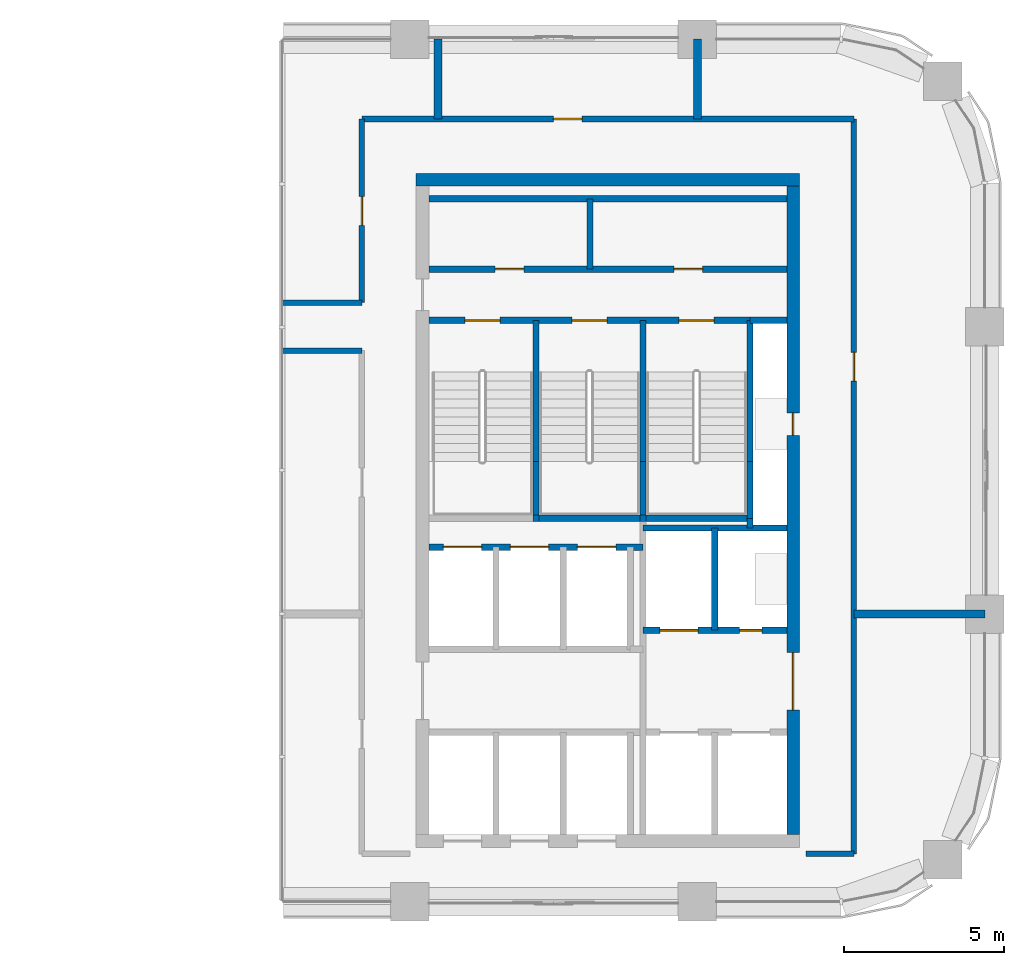
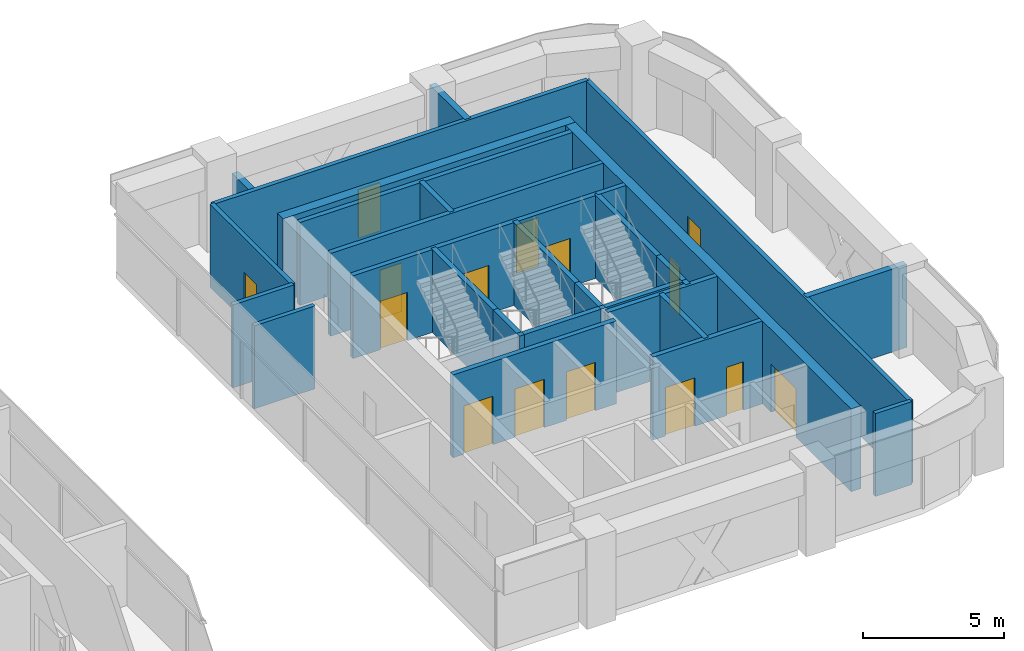
# One storey, part 8 of 16: 31 walls, 15 doors, 15 openings.
"""IFC4 building model written with IfcOpenShell, lengths in metres."""

import ifcopenshell
import ifcopenshell.guid

model = None  # the IFC model being written
_history = None  # IfcOwnerHistory: only IFC2X3 demands one
_inside = {}  # id of a spatial element -> (the spatial element, [elements in it])
_under = {}  # id of a project, library or spatial element -> (it, [spatial elements below it])
_declared = {}  # id of a project -> (the project, [libraries it declares])
_typed = {}  # id of a type object -> (the type object, [elements of that type])
_made_of = {}  # id of a material, layer set ... -> (it, [elements and type objects made of it])


def new_model(schema):
    """Start an empty IFC model of exactly this schema.

    Asked for "IFC4X3", IfcOpenShell would pick the latest addendum, in which some entities
    have other attributes; the version numbers below select the first issue.
    IFC2X3 requires an IfcOwnerHistory on every rooted entity: one is made here for all.
    """
    global model, _history
    if schema == "IFC4X3":
        model = ifcopenshell.file(schema_version=(4, 3, 0, 0))
    else:
        model = ifcopenshell.file(schema=schema)
    _inside.clear()
    _under.clear()
    _declared.clear()
    _typed.clear()
    _made_of.clear()
    _history = None
    if model.schema == "IFC2X3":
        org = make("IfcOrganization", Name="unknown")
        user = make(
            "IfcPersonAndOrganization",
            ThePerson=make("IfcPerson", FamilyName="unknown"),
            TheOrganization=org,
        )
        app = make(
            "IfcApplication",
            ApplicationDeveloper=org,
            Version="unknown",
            ApplicationFullName="unknown",
            ApplicationIdentifier="unknown",
        )
        _history = make(
            "IfcOwnerHistory",
            OwningUser=user,
            OwningApplication=app,
            ChangeAction="ADDED",
            CreationDate=0,
        )
    return model


def make(cls, **values):
    """One entity of the class cls with the attributes given. An attribute that is None is left unset."""
    return model.create_entity(
        cls, **{name: value for name, value in values.items() if value is not None}
    )


def rooted(cls, **values):
    """An entity with a GlobalId (a new one), such as an element, a storey or a relation."""
    return make(cls, GlobalId=ifcopenshell.guid.new(), OwnerHistory=_history, **values)


def si_unit(unit_type, name, prefix=None):
    """IfcSIUnit, for example si_unit("LENGTHUNIT", "METRE", prefix="MILLI")."""
    return make("IfcSIUnit", UnitType=unit_type, Prefix=prefix, Name=name)


def assignment(units):
    """IfcUnitAssignment: the units of a project."""
    return None if units is None else make("IfcUnitAssignment", Units=units)


def point(xyz):
    """IfcCartesianPoint."""
    return None if xyz is None else make("IfcCartesianPoint", Coordinates=xyz)


def direction(xyz):
    """IfcDirection."""
    return None if xyz is None else make("IfcDirection", DirectionRatios=xyz)


def frame(location, z_axis=None, x_axis=None):
    """IfcAxis2Placement3D, a coordinate frame: its origin and axes. An axis left out is left unset."""
    return make(
        "IfcAxis2Placement3D",
        Location=point(location),
        Axis=direction(z_axis),
        RefDirection=direction(x_axis),
    )


def frame_2d(location, x_axis=None):
    """IfcAxis2Placement2D, a coordinate frame in the plane: its origin and x axis."""
    return make(
        "IfcAxis2Placement2D", Location=point(location), RefDirection=direction(x_axis)
    )


def origin():
    """The frame at (0, 0, 0) with its axes left unset."""
    return frame((0.0, 0.0, 0.0))


def place(relative_to, where):
    """IfcLocalPlacement: puts the frame where relative to a parent placement (None: the world)."""
    return make(
        "IfcLocalPlacement", PlacementRelTo=relative_to, RelativePlacement=where
    )


def context(
    kind, dimensions, precision=None, world=None, true_north=None, identifier=None
):
    """IfcGeometricRepresentationContext, for example the 3D "Model" context."""
    return make(
        "IfcGeometricRepresentationContext",
        ContextIdentifier=identifier,
        ContextType=kind,
        CoordinateSpaceDimension=dimensions,
        Precision=precision,
        WorldCoordinateSystem=world,
        TrueNorth=true_north,
    )


def subcontext(parent, identifier, kind, view, scale=None):
    """IfcGeometricRepresentationSubContext, for example "Body" below "Model"."""
    return make(
        "IfcGeometricRepresentationSubContext",
        ContextIdentifier=identifier,
        ContextType=kind,
        ParentContext=parent,
        TargetScale=scale,
        TargetView=view,
    )


def project(units=None, contexts=None):
    """IfcProject with its units and contexts."""
    return rooted(
        "IfcProject",
        Name="project",
        RepresentationContexts=contexts,
        UnitsInContext=assignment(units),
    )


def spatial(cls, under=None, at=None, **own):
    """A site, building, storey or space (cls), placed at a placement, below another one or the project."""
    s = rooted(cls, ObjectPlacement=at, **own)
    if under is not None:
        _under.setdefault(under.id(), (under, []))[1].append(s)
    return s


def profile(cls, at=None, kind="AREA", **sizes):
    """A parametric profile (cls). Its sizes go by their IFC names, for example OverallWidth=200.0."""
    return make(cls, ProfileType=kind, Position=at, **sizes)


def rectangle(**sizes):
    """IfcRectangleProfileDef."""
    return profile("IfcRectangleProfileDef", **sizes)


def extrude(swept, where, along, depth):
    """IfcExtrudedAreaSolid: the profile swept, set in the frame where, extruded along a direction by depth."""
    return make(
        "IfcExtrudedAreaSolid",
        SweptArea=swept,
        Position=where,
        ExtrudedDirection=direction(along),
        Depth=depth,
    )


def shape(context_of_items, identifier, shape_type, items):
    """IfcShapeRepresentation: the items that make up one representation, for example the "Body"."""
    return make(
        "IfcShapeRepresentation",
        ContextOfItems=context_of_items,
        RepresentationIdentifier=identifier,
        RepresentationType=shape_type,
        Items=items,
    )


def material(Name=None, Category=None):
    """IfcMaterial."""
    return make("IfcMaterial", Name=Name, Category=Category)


def layer(
    of_material, thickness, ventilated=None, Name=None, Category=None, Priority=None
):
    """IfcMaterialLayer: one layer of a wall or slab, of a material (None: an air gap)."""
    return make(
        "IfcMaterialLayer",
        Material=of_material,
        LayerThickness=thickness,
        IsVentilated=ventilated,
        Name=Name,
        Category=Category,
        Priority=Priority,
    )


def layer_set(layers, Name=None):
    """IfcMaterialLayerSet."""
    return make("IfcMaterialLayerSet", MaterialLayers=layers, LayerSetName=Name)


def made_of(thing, what):
    """Note that an element or type object is made of a material, layer set ...; save() writes the relation."""
    if what is not None:
        _made_of.setdefault(what.id(), (what, []))[1].append(thing)
    return thing


def type_object(cls, material=None, **own):
    """A type object (cls), such as IfcWallType, which elements share."""
    return made_of(rooted(cls, **own), material)


def element(
    cls,
    number,
    at=None,
    inside=None,
    cuts=None,
    type_object=None,
    material=None,
    context=None,
    identifier="Body",
    shape_type=None,
    held_by="IfcProductDefinitionShape",
    body=None,
    shapes=None,
    **own,
):
    """One element of the class cls, such as IfcWall. Its Tag is "e" and its number.

    at: its placement. inside: the storey or other place that contains it. cuts: it is an
    opening in that element (IfcRelVoidsElement). A single representation is given by context,
    identifier, shape_type and body (its items); several are given by shapes. held_by: the class
    of the entity that holds the representations. save() writes the other relations.
    """
    e = rooted(cls, Tag="e%d" % number, ObjectPlacement=at, **own)
    if body is not None:
        shapes = [shape(context, identifier, shape_type, body)]
    if shapes is not None:
        e.Representation = make(held_by, Representations=shapes)
    if inside is not None:
        _inside.setdefault(inside.id(), (inside, []))[1].append(e)
    if cuts is not None:
        rooted(
            "IfcRelVoidsElement", RelatingBuildingElement=cuts, RelatedOpeningElement=e
        )
    if type_object is not None:
        _typed.setdefault(type_object.id(), (type_object, []))[1].append(e)
    return made_of(e, material)


def fill(opening, filler):
    """IfcRelFillsElement: the door or window that sits in an opening."""
    return rooted(
        "IfcRelFillsElement",
        RelatingOpeningElement=opening,
        RelatedBuildingElement=filler,
    )


def aggregate(whole, parts):
    """IfcRelAggregates: a whole, such as a stair, and the parts it consists of."""
    return rooted("IfcRelAggregates", RelatingObject=whole, RelatedObjects=parts)


def save(model, path):
    """Write the relations noted so far, then the file.

    IfcRelAggregates (storeys below a building ...), IfcRelContainedInSpatialStructure (elements
    in a storey), IfcRelDefinesByType, IfcRelAssociatesMaterial and IfcRelDeclares: one each for
    every whole, place, type object, material and project.
    """
    for whole, parts in _under.values():
        aggregate(whole, parts)
    for where, things in _inside.values():
        rooted(
            "IfcRelContainedInSpatialStructure",
            RelatedElements=things,
            RelatingStructure=where,
        )
    for kind, things in _typed.values():
        rooted("IfcRelDefinesByType", RelatedObjects=things, RelatingType=kind)
    for what, things in _made_of.values():
        rooted("IfcRelAssociatesMaterial", RelatedObjects=things, RelatingMaterial=what)
    for by, libraries in _declared.values():
        rooted("IfcRelDeclares", RelatingContext=by, RelatedDefinitions=libraries)
    model.write(path)


model = new_model("IFC4")

# Units and contexts
model_context = context("Model", 3, precision=1e-05, world=origin(), true_north=direction((0.0, 1.0)))
body_context = subcontext(model_context, "Body", "Model", "MODEL_VIEW")
ifc_project = project(units=[si_unit("LENGTHUNIT", "METRE"), si_unit("AREAUNIT", "SQUARE_METRE"), si_unit("VOLUMEUNIT", "CUBIC_METRE"), si_unit("PLANEANGLEUNIT", "RADIAN"), si_unit("MASSUNIT", "GRAM", prefix="KILO")], contexts=[model_context])

# Site, building, storey
site_placement = place(None, origin())
site = spatial("IfcSite", under=ifc_project, at=site_placement, CompositionType="ELEMENT")
building_placement = place(site_placement, origin())
building = spatial("IfcBuilding", under=site, at=building_placement, Name="Tessera Arch", CompositionType="ELEMENT")
storey_placement = place(building_placement, frame((0.0, 0.0, 218.89990234375)))
storey = spatial("IfcBuildingStorey", under=building, at=storey_placement, Name="L52", CompositionType="ELEMENT", Elevation=218.89990234375)

# Wall
ifc_material_1 = material(Name="Gypsum board on steel stud", Category="steel")
ifc_layer_1 = layer(ifc_material_1, 0.125)
ifc_layer_set_1 = layer_set([ifc_layer_1], Name="Core partition 125 EI 60")
wall_type_1 = type_object("IfcWallType", Name="Core partition 125 EI 60", PredefinedType="PARTITIONING", material=ifc_layer_set_1)
wall_1_placement = place(storey_placement, frame((41.639892578125, 46.800048828125, 0.0), z_axis=(0.0, 0.0, 1.0), x_axis=(0.0, 1.0, 0.0)))
element("IfcWall", 1, at=wall_1_placement, inside=storey, type_object=wall_type_1, Name="L52 C1 partition wall 7", PredefinedType="PARTITIONING", context=body_context, shape_type="SweptSolid", body=[
    extrude(rectangle(XDim=2.199951171875, YDim=0.199951171875, at=frame_2d((1.10009765625, 0.0))), origin(), (0.0, 0.0, 1.0), 3.60009765625),
])

# Wall, openings, doors
wall_2_placement = place(storey_placement, frame((36.60009765625, 46.800048828125, 0.0), z_axis=(0.0, 0.0, 1.0), x_axis=(1.0, 0.0, 0.0)))
wall_2 = element("IfcWall", 2, at=wall_2_placement, inside=storey, type_object=wall_type_1, Name="L52 C1 partition wall 31", PredefinedType="PARTITIONING", context=body_context, shape_type="SweptSolid", body=[
    extrude(rectangle(XDim=11.199951171875, YDim=0.199951171875, at=frame_2d((5.60009765625, 0.0))), origin(), (0.0, 0.0, 1.0), 3.60009765625),
])
opening_1_placement = place(wall_2_placement, frame((2.070068359375, 0.0, 0.0)))
opening_1 = element("IfcOpeningElement", 3, at=opening_1_placement, cuts=wall_2, Name="Opening L52-C18", PredefinedType="OPENING", context=body_context, shape_type="SweptSolid", body=[
    extrude(rectangle(XDim=0.89990234375, YDim=2.10009765625, at=frame_2d((0.449951171875, 1.050048828125))), frame((0.0, 0.10986328125, 0.0), z_axis=(0.0, -1.0, 0.0), x_axis=(1.0, 0.0, 0.0)), (0.0, 0.0, 1.0), 0.219970703125),
])
opening_2_placement = place(wall_2_placement, frame((7.669921875, 0.0, 0.0)))
opening_2 = element("IfcOpeningElement", 4, at=opening_2_placement, cuts=wall_2, Name="Opening L52-C19", PredefinedType="OPENING", context=body_context, shape_type="SweptSolid", body=[
    extrude(rectangle(XDim=0.89990234375, YDim=2.10009765625, at=frame_2d((0.449951171875, 1.050048828125))), frame((0.0, 0.10986328125, 0.0), z_axis=(0.0, -1.0, 0.0), x_axis=(1.0, 0.0, 0.0)), (0.0, 0.0, 1.0), 0.219970703125),
])
ifc_material_2 = material(Name="Steel door leaf", Category="steel")
door_type_1 = type_object("IfcDoorType", Name="Store door FD30S 900 x 2100", OperationType="SINGLE_SWING_LEFT", PredefinedType="DOOR", material=ifc_material_2)
door_1_placement = place(opening_1_placement, origin())
door_1 = element("IfcDoor", 5, at=door_1_placement, inside=storey, type_object=door_type_1, Name="L52 C1 door 18 C18 type D09", OperationType="SINGLE_SWING_LEFT", OverallHeight=2.10009765625, OverallWidth=0.89990234375, PredefinedType="DOOR", context=body_context, shape_type="SweptSolid", body=[
    extrude(rectangle(XDim=0.89990234375, YDim=2.10009765625, at=frame_2d((0.449951171875, 1.050048828125))), frame((0.0, 0.02490234375, 0.0), z_axis=(0.0, -1.0, 0.0), x_axis=(1.0, 0.0, 0.0)), (0.0, 0.0, 1.0), 0.050048828125),
])
fill(opening_1, door_1)
door_2_placement = place(opening_2_placement, origin())
door_2 = element("IfcDoor", 6, at=door_2_placement, inside=storey, type_object=door_type_1, Name="L52 C1 door 19 C19 type D09", OperationType="SINGLE_SWING_RIGHT", OverallHeight=2.10009765625, OverallWidth=0.89990234375, PredefinedType="DOOR", context=body_context, shape_type="SweptSolid", body=[
    extrude(rectangle(XDim=0.89990234375, YDim=2.10009765625, at=frame_2d((0.449951171875, 1.050048828125))), frame((0.0, 0.02490234375, 0.0), z_axis=(0.0, -1.0, 0.0), x_axis=(1.0, 0.0, 0.0)), (0.0, 0.0, 1.0), 0.050048828125),
])
fill(opening_2, door_2)

# Walls
wall_3_placement = place(storey_placement, frame((36.60009765625, 49.0, 0.0), z_axis=(0.0, 0.0, 1.0), x_axis=(1.0, 0.0, 0.0)))
element("IfcWall", 7, at=wall_3_placement, inside=storey, type_object=wall_type_1, Name="L52 C1 partition wall 32", PredefinedType="PARTITIONING", context=body_context, shape_type="SweptSolid", body=[
    extrude(rectangle(XDim=11.199951171875, YDim=0.199951171875, at=frame_2d((5.60009765625, 0.0))), origin(), (0.0, 0.0, 1.0), 3.60009765625),
])
ifc_material_3 = material(Name="Concrete C50/60", Category="concrete")
ifc_layer_2 = layer(ifc_material_3, 0.39990234375)
ifc_layer_set_2 = layer_set([ifc_layer_2], Name="Core shell wall 400 C50-60")
wall_type_2 = type_object("IfcWallType", Name="Core shell wall 400 C50-60", PredefinedType="SHEAR", material=ifc_layer_set_2)
wall_4_placement = place(storey_placement, frame((36.199951171875, 49.60009765625, 0.0), z_axis=(0.0, 0.0, 1.0), x_axis=(1.0, 0.0, 0.0)))
element("IfcWall", 8, at=wall_4_placement, inside=storey, type_object=wall_type_2, Name="L52 C1 core wall N", PredefinedType="SHEAR", context=body_context, shape_type="SweptSolid", body=[
    extrude(rectangle(XDim=12.0, YDim=0.39990234375, at=frame_2d((6.0, 0.0))), origin(), (0.0, 0.0, 1.0), 3.60009765625),
])

# Wall, openings, doors
wall_5_placement = place(storey_placement, frame((48.0, 29.10009765625, 0.0), z_axis=(0.0, 0.0, 1.0), x_axis=(0.0, 1.0, 0.0)))
wall_5 = element("IfcWall", 9, at=wall_5_placement, inside=storey, type_object=wall_type_2, Name="L52 C1 core wall E", PredefinedType="SHEAR", context=body_context, shape_type="SweptSolid", body=[
    extrude(rectangle(XDim=20.2998046875, YDim=0.39990234375, at=frame_2d((10.14990234375, 0.0))), origin(), (0.0, 0.0, 1.0), 3.60009765625),
])
opening_3_placement = place(wall_5_placement, frame((12.5, 0.0, 0.0)))
opening_3 = element("IfcOpeningElement", 10, at=opening_3_placement, cuts=wall_5, Name="Opening L52-C14", PredefinedType="OPENING", context=body_context, shape_type="SweptSolid", body=[
    extrude(rectangle(XDim=0.699951171875, YDim=2.10009765625, at=frame_2d((0.35009765625, 1.050048828125))), frame((0.0, 0.2099609375, 0.0), z_axis=(0.0, -1.0, 0.0), x_axis=(1.0, 0.0, 0.0)), (0.0, 0.0, 1.0), 0.419921875),
])
opening_4_placement = place(wall_5_placement, frame((3.89990234375, 0.0, 0.0)))
opening_4 = element("IfcOpeningElement", 11, at=opening_4_placement, cuts=wall_5, Name="Opening L52-C15", PredefinedType="OPENING", context=body_context, shape_type="SweptSolid", body=[
    extrude(rectangle(XDim=1.800048828125, YDim=2.10009765625, at=frame_2d((0.89990234375, 1.050048828125))), frame((0.0, 0.2099609375, 0.0), z_axis=(0.0, -1.0, 0.0), x_axis=(1.0, 0.0, 0.0)), (0.0, 0.0, 1.0), 0.419921875),
])
ifc_material_4 = material(Name="Glazed steel door leaf", Category="steel")
door_type_2 = type_object("IfcDoorType", Name="Lobby double door FD60 1800 x 2100", OperationType="DOUBLE_DOOR_SINGLE_SWING", PredefinedType="DOOR", material=ifc_material_4)
door_3_placement = place(opening_4_placement, origin())
door_3 = element("IfcDoor", 12, at=door_3_placement, inside=storey, type_object=door_type_2, Name="L52 C1 door 15 C15 type D19", OperationType="DOUBLE_DOOR_SINGLE_SWING", OverallHeight=2.10009765625, OverallWidth=1.800048828125, PredefinedType="DOOR", context=body_context, shape_type="SweptSolid", body=[
    extrude(rectangle(XDim=1.800048828125, YDim=2.10009765625, at=frame_2d((0.89990234375, 1.050048828125))), frame((0.0, 0.02490234375, 0.0), z_axis=(0.0, -1.0, 0.0), x_axis=(1.0, 0.0, 0.0)), (0.0, 0.0, 1.0), 0.050048828125),
])
fill(opening_4, door_3)
ifc_material_5 = material(Name="Steel door leaf", Category="steel")
door_type_3 = type_object("IfcDoorType", Name="Service shaft door FD60 700 x 2100", OperationType="SINGLE_SWING_LEFT", PredefinedType="DOOR", material=ifc_material_5)
door_4_placement = place(opening_3_placement, origin())
door_4 = element("IfcDoor", 13, at=door_4_placement, inside=storey, type_object=door_type_3, Name="L52 C1 door 14 C14 type D07", OperationType="SINGLE_SWING_RIGHT", OverallHeight=2.10009765625, OverallWidth=0.699951171875, PredefinedType="DOOR", context=body_context, shape_type="SweptSolid", body=[
    extrude(rectangle(XDim=0.699951171875, YDim=2.10009765625, at=frame_2d((0.35009765625, 1.050048828125))), frame((0.0, 0.02490234375, 0.0), z_axis=(0.0, -1.0, 0.0), x_axis=(1.0, 0.0, 0.0)), (0.0, 0.0, 1.0), 0.050048828125),
])
fill(opening_3, door_4)

# Walls
ifc_material_6 = material(Name="Gypsum board on deep steel stud with mineral wool", Category="steel")
ifc_layer_3 = layer(ifc_material_6, 0.175048828125)
ifc_layer_set_3 = layer_set([ifc_layer_3], Name="Corridor wall 175 EI 60")
wall_type_3 = type_object("IfcWallType", Name="Corridor wall 175 EI 60", PredefinedType="PARTITIONING", material=ifc_layer_set_3)
wall_6_placement = place(storey_placement, frame((48.39990234375, 28.5, 0.0), z_axis=(0.0, 0.0, 1.0), x_axis=(1.0, 0.0, 0.0)))
element("IfcWall", 14, at=wall_6_placement, inside=storey, type_object=wall_type_3, Name="L52 partition 4", PredefinedType="PARTITIONING", context=body_context, shape_type="SweptSolid", body=[
    extrude(rectangle(XDim=1.5, YDim=0.175048828125, at=frame_2d((0.75, 0.0))), origin(), (0.0, 0.0, 1.0), 3.60009765625),
])
for number, where, z_axis, x_axis, name in (
    (15, (32.0, 44.25, 0.0), (0.0, 0.0, 1.0), (1.0, 0.0, 0.0), "L52 partition 6"),
    (16, (32.0, 45.75, 0.0), (0.0, 0.0, 1.0), (1.0, 0.0, 0.0), "L52 partition 8"),
):
    element("IfcWall", number, at=place(storey_placement, frame(where, z_axis=z_axis, x_axis=x_axis)), inside=storey, type_object=wall_type_3, Name=name, PredefinedType="PARTITIONING", context=body_context, shape_type="SweptSolid", body=[
        extrude(rectangle(XDim=2.5, YDim=0.175048828125, at=frame_2d((1.25, 0.0))), origin(), (0.0, 0.0, 1.0), 3.60009765625),
    ])

# Wall, opening, door
wall_7_placement = place(storey_placement, frame((34.5, 51.5, 0.0), z_axis=(0.0, 0.0, 1.0), x_axis=(1.0, 0.0, 0.0)))
wall_7 = element("IfcWall", 17, at=wall_7_placement, inside=storey, type_object=wall_type_3, Name="L52 partition 10", PredefinedType="PARTITIONING", context=body_context, shape_type="SweptSolid", body=[
    extrude(rectangle(XDim=15.39990234375, YDim=0.175048828125, at=frame_2d((7.699951171875, 0.0))), origin(), (0.0, 0.0, 1.0), 3.60009765625),
])
opening_5_placement = place(wall_7_placement, frame((5.9951171875, 0.0, 0.0)))
opening_5 = element("IfcOpeningElement", 18, at=opening_5_placement, cuts=wall_7, Name="Opening L52-D010", PredefinedType="OPENING", context=body_context, shape_type="SweptSolid", body=[
    extrude(rectangle(XDim=0.89990234375, YDim=2.10009765625, at=frame_2d((0.449951171875, 1.050048828125))), frame((0.0, 0.097412109375, 0.0), z_axis=(0.0, -1.0, 0.0), x_axis=(1.0, 0.0, 0.0)), (0.0, 0.0, 1.0), 0.195068359375),
])
ifc_material_7 = material(Name="Timber door leaf", Category="wood")
door_type_4 = type_object("IfcDoorType", Name="Room door 900 x 2100", OperationType="SINGLE_SWING_LEFT", PredefinedType="DOOR", material=ifc_material_7)
door_5_placement = place(opening_5_placement, origin())
door_5 = element("IfcDoor", 19, at=door_5_placement, inside=storey, type_object=door_type_4, Name="L52 door D010 type D01", OperationType="SINGLE_SWING_RIGHT", OverallHeight=2.10009765625, OverallWidth=0.89990234375, PredefinedType="DOOR", context=body_context, shape_type="SweptSolid", body=[
    extrude(rectangle(XDim=0.89990234375, YDim=2.10009765625, at=frame_2d((0.449951171875, 1.050048828125))), frame((0.0, 0.02490234375, 0.0), z_axis=(0.0, -1.0, 0.0), x_axis=(1.0, 0.0, 0.0)), (0.0, 0.0, 1.0), 0.050048828125),
])
fill(opening_5, door_5)

wall_8_placement = place(storey_placement, frame((34.5, 45.75, 0.0), z_axis=(0.0, 0.0, 1.0), x_axis=(0.0, 1.0, 0.0)))
wall_8 = element("IfcWall", 20, at=wall_8_placement, inside=storey, type_object=wall_type_3, Name="L52 partition 15", PredefinedType="PARTITIONING", context=body_context, shape_type="SweptSolid", body=[
    extrude(rectangle(XDim=5.75, YDim=0.175048828125, at=frame_2d((2.875, 0.0))), origin(), (0.0, 0.0, 1.0), 3.60009765625),
])
opening_6_placement = place(wall_8_placement, frame((2.425048828125, 0.0, 0.0)))
opening_6 = element("IfcOpeningElement", 21, at=opening_6_placement, cuts=wall_8, Name="Opening L52-D008", PredefinedType="OPENING", context=body_context, shape_type="SweptSolid", body=[
    extrude(rectangle(XDim=0.89990234375, YDim=2.10009765625, at=frame_2d((0.449951171875, 1.050048828125))), frame((0.0, 0.097412109375, 0.0), z_axis=(0.0, -1.0, 0.0), x_axis=(1.0, 0.0, 0.0)), (0.0, 0.0, 1.0), 0.195068359375),
])
door_6_placement = place(opening_6_placement, origin())
door_6 = element("IfcDoor", 22, at=door_6_placement, inside=storey, type_object=door_type_4, Name="L52 door D008 type D01", OperationType="SINGLE_SWING_RIGHT", OverallHeight=2.10009765625, OverallWidth=0.89990234375, PredefinedType="DOOR", context=body_context, shape_type="SweptSolid", body=[
    extrude(rectangle(XDim=0.89990234375, YDim=2.10009765625, at=frame_2d((0.449951171875, 1.050048828125))), frame((0.0, 0.02490234375, 0.0), z_axis=(0.0, -1.0, 0.0), x_axis=(1.0, 0.0, 0.0)), (0.0, 0.0, 1.0), 0.050048828125),
])
fill(opening_6, door_6)

wall_9_placement = place(storey_placement, frame((49.89990234375, 28.5, 0.0), z_axis=(0.0, 0.0, 1.0), x_axis=(0.0, 1.0, 0.0)))
wall_9 = element("IfcWall", 23, at=wall_9_placement, inside=storey, type_object=wall_type_3, Name="L52 partition 16", PredefinedType="PARTITIONING", context=body_context, shape_type="SweptSolid", body=[
    extrude(rectangle(XDim=23.0, YDim=0.175048828125, at=frame_2d((11.5, 0.0))), origin(), (0.0, 0.0, 1.0), 3.60009765625),
])
opening_7_placement = place(wall_9_placement, frame((14.800048828125, 0.0, 0.0)))
opening_7 = element("IfcOpeningElement", 24, at=opening_7_placement, cuts=wall_9, Name="Opening L52-D006", PredefinedType="OPENING", context=body_context, shape_type="SweptSolid", body=[
    extrude(rectangle(XDim=0.89990234375, YDim=2.10009765625, at=frame_2d((0.449951171875, 1.050048828125))), frame((0.0, 0.097412109375, 0.0), z_axis=(0.0, -1.0, 0.0), x_axis=(1.0, 0.0, 0.0)), (0.0, 0.0, 1.0), 0.195068359375),
])
door_7_placement = place(opening_7_placement, origin())
door_7 = element("IfcDoor", 25, at=door_7_placement, inside=storey, type_object=door_type_4, Name="L52 door D006 type D01", OperationType="SINGLE_SWING_LEFT", OverallHeight=2.10009765625, OverallWidth=0.89990234375, PredefinedType="DOOR", context=body_context, shape_type="SweptSolid", body=[
    extrude(rectangle(XDim=0.89990234375, YDim=2.10009765625, at=frame_2d((0.449951171875, 1.050048828125))), frame((0.0, 0.02490234375, 0.0), z_axis=(0.0, -1.0, 0.0), x_axis=(1.0, 0.0, 0.0)), (0.0, 0.0, 1.0), 0.050048828125),
])
fill(opening_7, door_7)

# Walls
ifc_material_8 = material(Name="Double gypsum board on twin steel stud with acoustic mineral wool", Category="steel")
ifc_layer_4 = layer(ifc_material_8, 0.25)
ifc_layer_set_4 = layer_set([ifc_layer_4], Name="Party wall 250 EI 60")
wall_type_4 = type_object("IfcWallType", Name="Party wall 250 EI 60", PredefinedType="PARTITIONING", material=ifc_layer_set_4)
wall_10_placement = place(storey_placement, frame((49.89990234375, 36.0, 0.0), z_axis=(0.0, 0.0, 1.0), x_axis=(1.0, 0.0, 0.0)))
element("IfcWall", 26, at=wall_10_placement, inside=storey, type_object=wall_type_4, Name="L52 partition 20", PredefinedType="PARTITIONING", context=body_context, shape_type="SweptSolid", body=[
    extrude(rectangle(XDim=4.10009765625, YDim=0.25, at=frame_2d((2.050048828125, 0.0))), origin(), (0.0, 0.0, 1.0), 3.60009765625),
])
wall_11_placement = place(storey_placement, frame((36.889892578125, 51.5, 0.0), z_axis=(0.0, 0.0, 1.0), x_axis=(0.0, 1.0, 0.0)))
element("IfcWall", 27, at=wall_11_placement, inside=storey, type_object=wall_type_4, Name="L52 partition 23", PredefinedType="PARTITIONING", context=body_context, shape_type="SweptSolid", body=[
    extrude(rectangle(XDim=2.5, YDim=0.25, at=frame_2d((1.25, 0.0))), origin(), (0.0, 0.0, 1.0), 2.60009765625),
])
wall_12_placement = place(storey_placement, frame((45.0, 51.5, 0.0), z_axis=(0.0, 0.0, 1.0), x_axis=(0.0, 1.0, 0.0)))
element("IfcWall", 28, at=wall_12_placement, inside=storey, type_object=wall_type_4, Name="L52 partition 24", PredefinedType="PARTITIONING", context=body_context, shape_type="SweptSolid", body=[
    extrude(rectangle(XDim=2.5, YDim=0.25, at=frame_2d((1.25, 0.0))), origin(), (0.0, 0.0, 1.0), 3.60009765625),
])
ifc_material_9 = material(Name="Concrete C40/50", Category="concrete")
ifc_layer_5 = layer(ifc_material_9, 0.199951171875)
ifc_layer_set_5 = layer_set([ifc_layer_5], Name="Shaft wall 200 EI 120")
wall_type_5 = type_object("IfcWallType", Name="Shaft wall 200 EI 120", PredefinedType="SOLIDWALL", material=ifc_layer_set_5)
wall_13_placement = place(storey_placement, frame((45.550048828125, 35.5, 0.0), z_axis=(0.0, 0.0, 1.0), x_axis=(0.0, 1.0, 0.0)))
element("IfcWall", 29, at=wall_13_placement, inside=storey, type_object=wall_type_5, Name="L52 C1 shaft wall 14", PredefinedType="SOLIDWALL", context=body_context, shape_type="SweptSolid", body=[
    extrude(rectangle(XDim=3.199951171875, YDim=0.199951171875, at=frame_2d((1.60009765625, 0.0))), origin(), (0.0, 0.0, 1.0), 3.60009765625),
])
wall_14_placement = place(storey_placement, frame((46.64990234375, 38.699951171875, 0.0), z_axis=(0.0, 0.0, 1.0), x_axis=(0.0, 1.0, 0.0)))
element("IfcWall", 30, at=wall_14_placement, inside=storey, type_object=wall_type_5, Name="L52 C1 shaft wall 15", PredefinedType="SOLIDWALL", context=body_context, shape_type="SweptSolid", body=[
    extrude(rectangle(XDim=0.300048828125, YDim=0.199951171875, at=frame_2d((0.14990234375, 0.0))), origin(), (0.0, 0.0, 1.0), 3.60009765625),
])

# Wall, openings, doors
wall_15_placement = place(storey_placement, frame((43.300048828125, 35.5, 0.0), z_axis=(0.0, 0.0, 1.0), x_axis=(1.0, 0.0, 0.0)))
wall_15 = element("IfcWall", 31, at=wall_15_placement, inside=storey, type_object=wall_type_5, Name="L52 C1 shaft wall 21", PredefinedType="SOLIDWALL", context=body_context, shape_type="SweptSolid", body=[
    extrude(rectangle(XDim=4.5, YDim=0.199951171875, at=frame_2d((2.25, 0.0))), origin(), (0.0, 0.0, 1.0), 3.60009765625),
])
opening_8_placement = place(wall_15_placement, frame((0.52490234375, 0.0, 0.0)))
opening_8 = element("IfcOpeningElement", 32, at=opening_8_placement, cuts=wall_15, Name="Opening L52-C09", PredefinedType="OPENING", context=body_context, shape_type="SweptSolid", body=[
    extrude(rectangle(XDim=1.199951171875, YDim=2.10009765625, at=frame_2d((0.60009765625, 1.050048828125))), frame((0.0, 0.10986328125, 0.0), z_axis=(0.0, -1.0, 0.0), x_axis=(1.0, 0.0, 0.0)), (0.0, 0.0, 1.0), 0.219970703125),
])
opening_9_placement = place(wall_15_placement, frame((3.02490234375, 0.0, 0.0)))
opening_9 = element("IfcOpeningElement", 33, at=opening_9_placement, cuts=wall_15, Name="Opening L52-C16", PredefinedType="OPENING", context=body_context, shape_type="SweptSolid", body=[
    extrude(rectangle(XDim=0.699951171875, YDim=2.10009765625, at=frame_2d((0.35009765625, 1.050048828125))), frame((0.0, 0.10986328125, 0.0), z_axis=(0.0, -1.0, 0.0), x_axis=(1.0, 0.0, 0.0)), (0.0, 0.0, 1.0), 0.219970703125),
])
door_8_placement = place(opening_9_placement, origin())
door_8 = element("IfcDoor", 34, at=door_8_placement, inside=storey, type_object=door_type_3, Name="L52 C1 door 16 C16 type D07", OperationType="SINGLE_SWING_RIGHT", OverallHeight=2.10009765625, OverallWidth=0.699951171875, PredefinedType="DOOR", context=body_context, shape_type="SweptSolid", body=[
    extrude(rectangle(XDim=0.699951171875, YDim=2.10009765625, at=frame_2d((0.35009765625, 1.050048828125))), frame((0.0, 0.02490234375, 0.0), z_axis=(0.0, -1.0, 0.0), x_axis=(1.0, 0.0, 0.0)), (0.0, 0.0, 1.0), 0.050048828125),
])
fill(opening_9, door_8)
ifc_material_10 = material(Name="Stainless steel AISI 304", Category="steel")
door_type_5 = type_object("IfcDoorType", Name="Sliding landing door 1200 x 2100", OperationType="SLIDING_TO_LEFT", PredefinedType="DOOR", material=ifc_material_10)
door_9_placement = place(opening_8_placement, origin())
door_9 = element("IfcDoor", 35, at=door_9_placement, inside=storey, type_object=door_type_5, Name="L52 SV2 lift landing door C09 type LD", OperationType="SLIDING_TO_LEFT", OverallHeight=2.10009765625, OverallWidth=1.199951171875, PredefinedType="DOOR", context=body_context, shape_type="SweptSolid", body=[
    extrude(rectangle(XDim=1.199951171875, YDim=2.10009765625, at=frame_2d((0.60009765625, 1.050048828125))), frame((0.0, 0.02490234375, 0.0), z_axis=(0.0, -1.0, 0.0), x_axis=(1.0, 0.0, 0.0)), (0.0, 0.0, 1.0), 0.050048828125),
])
fill(opening_8, door_9)

wall_16_placement = place(storey_placement, frame((36.60009765625, 38.10009765625, 0.0), z_axis=(0.0, 0.0, 1.0), x_axis=(1.0, 0.0, 0.0)))
wall_16 = element("IfcWall", 36, at=wall_16_placement, inside=storey, type_object=wall_type_5, Name="L52 C1 shaft wall 22", PredefinedType="SOLIDWALL", context=body_context, shape_type="SweptSolid", body=[
    extrude(rectangle(XDim=6.699951171875, YDim=0.199951171875, at=frame_2d((3.35009765625, 0.0))), origin(), (0.0, 0.0, 1.0), 3.60009765625),
])
opening_10_placement = place(wall_16_placement, frame((0.449951171875, 0.0, 0.0)))
opening_10 = element("IfcOpeningElement", 37, at=opening_10_placement, cuts=wall_16, Name="Opening L52-C02", PredefinedType="OPENING", context=body_context, shape_type="SweptSolid", body=[
    extrude(rectangle(XDim=1.199951171875, YDim=2.10009765625, at=frame_2d((0.60009765625, 1.050048828125))), frame((0.0, 0.10986328125, 0.0), z_axis=(0.0, -1.0, 0.0), x_axis=(1.0, 0.0, 0.0)), (0.0, 0.0, 1.0), 0.219970703125),
])
opening_11_placement = place(wall_16_placement, frame((2.550048828125, 0.0, 0.0)))
opening_11 = element("IfcOpeningElement", 38, at=opening_11_placement, cuts=wall_16, Name="Opening L52-C04", PredefinedType="OPENING", context=body_context, shape_type="SweptSolid", body=[
    extrude(rectangle(XDim=1.199951171875, YDim=2.10009765625, at=frame_2d((0.60009765625, 1.050048828125))), frame((0.0, 0.10986328125, 0.0), z_axis=(0.0, -1.0, 0.0), x_axis=(1.0, 0.0, 0.0)), (0.0, 0.0, 1.0), 0.219970703125),
])
opening_12_placement = place(wall_16_placement, frame((4.64990234375, 0.0, 0.0)))
opening_12 = element("IfcOpeningElement", 39, at=opening_12_placement, cuts=wall_16, Name="Opening L52-C06", PredefinedType="OPENING", context=body_context, shape_type="SweptSolid", body=[
    extrude(rectangle(XDim=1.199951171875, YDim=2.10009765625, at=frame_2d((0.60009765625, 1.050048828125))), frame((0.0, 0.10986328125, 0.0), z_axis=(0.0, -1.0, 0.0), x_axis=(1.0, 0.0, 0.0)), (0.0, 0.0, 1.0), 0.219970703125),
])
door_10_placement = place(opening_10_placement, origin())
door_10 = element("IfcDoor", 40, at=door_10_placement, inside=storey, type_object=door_type_5, Name="L52 HR4 lift landing door C02 type LD", OperationType="SLIDING_TO_LEFT", OverallHeight=2.10009765625, OverallWidth=1.199951171875, PredefinedType="DOOR", context=body_context, shape_type="SweptSolid", body=[
    extrude(rectangle(XDim=1.199951171875, YDim=2.10009765625, at=frame_2d((0.60009765625, 1.050048828125))), frame((0.0, 0.02490234375, 0.0), z_axis=(0.0, -1.0, 0.0), x_axis=(1.0, 0.0, 0.0)), (0.0, 0.0, 1.0), 0.050048828125),
])
fill(opening_10, door_10)
door_11_placement = place(opening_11_placement, origin())
door_11 = element("IfcDoor", 41, at=door_11_placement, inside=storey, type_object=door_type_5, Name="L52 HR5 lift landing door C04 type LD", OperationType="SLIDING_TO_LEFT", OverallHeight=2.10009765625, OverallWidth=1.199951171875, PredefinedType="DOOR", context=body_context, shape_type="SweptSolid", body=[
    extrude(rectangle(XDim=1.199951171875, YDim=2.10009765625, at=frame_2d((0.60009765625, 1.050048828125))), frame((0.0, 0.02490234375, 0.0), z_axis=(0.0, -1.0, 0.0), x_axis=(1.0, 0.0, 0.0)), (0.0, 0.0, 1.0), 0.050048828125),
])
fill(opening_11, door_11)
door_12_placement = place(opening_12_placement, origin())
door_12 = element("IfcDoor", 42, at=door_12_placement, inside=storey, type_object=door_type_5, Name="L52 HR6 lift landing door C06 type LD", OperationType="SLIDING_TO_LEFT", OverallHeight=2.10009765625, OverallWidth=1.199951171875, PredefinedType="DOOR", context=body_context, shape_type="SweptSolid", body=[
    extrude(rectangle(XDim=1.199951171875, YDim=2.10009765625, at=frame_2d((0.60009765625, 1.050048828125))), frame((0.0, 0.02490234375, 0.0), z_axis=(0.0, -1.0, 0.0), x_axis=(1.0, 0.0, 0.0)), (0.0, 0.0, 1.0), 0.050048828125),
])
fill(opening_12, door_12)

# Walls
wall_17_placement = place(storey_placement, frame((43.300048828125, 38.699951171875, 0.0), z_axis=(0.0, 0.0, 1.0), x_axis=(1.0, 0.0, 0.0)))
element("IfcWall", 43, at=wall_17_placement, inside=storey, type_object=wall_type_5, Name="L52 C1 shaft wall 23", PredefinedType="SOLIDWALL", context=body_context, shape_type="SweptSolid", body=[
    extrude(rectangle(XDim=4.5, YDim=0.199951171875, at=frame_2d((2.25, 0.0))), origin(), (0.0, 0.0, 1.0), 3.60009765625),
])
wall_18_placement = place(storey_placement, frame((46.64990234375, 45.199951171875, 0.0), z_axis=(0.0, 0.0, 1.0), x_axis=(1.0, 0.0, 0.0)))
element("IfcWall", 44, at=wall_18_placement, inside=storey, type_object=wall_type_5, Name="L52 C1 shaft wall 29", PredefinedType="SOLIDWALL", context=body_context, shape_type="SweptSolid", body=[
    extrude(rectangle(XDim=1.150146484375, YDim=0.199951171875, at=frame_2d((0.5751953125, 0.0))), origin(), (0.0, 0.0, 1.0), 3.60009765625),
])
ifc_material_11 = material(Name="Concrete C40/50", Category="concrete")
ifc_layer_6 = layer(ifc_material_11, 0.199951171875)
ifc_layer_set_6 = layer_set([ifc_layer_6], Name="Stair well wall 200 REI 180")
wall_type_6 = type_object("IfcWallType", Name="Stair well wall 200 REI 180", PredefinedType="SOLIDWALL", material=ifc_layer_set_6)
wall_19_placement = place(storey_placement, frame((39.949951171875, 39.0, 0.0), z_axis=(0.0, 0.0, 1.0), x_axis=(0.0, 1.0, 0.0)))
element("IfcWall", 45, at=wall_19_placement, inside=storey, type_object=wall_type_6, Name="L52 C1 shaft wall 3", PredefinedType="SOLIDWALL", context=body_context, shape_type="SweptSolid", body=[
    extrude(rectangle(XDim=1.780029296875, YDim=0.199951171875, at=frame_2d((0.89013671875, 0.0))), origin(), (0.0, 0.0, 1.0), 3.60009765625),
])
wall_20_placement = place(storey_placement, frame((39.949951171875, 40.780029296875, 0.0), z_axis=(0.0, 0.0, 1.0), x_axis=(0.0, 1.0, 0.0)))
element("IfcWall", 46, at=wall_20_placement, inside=storey, type_object=wall_type_6, Name="L52 C1 shaft wall 4", PredefinedType="SOLIDWALL", context=body_context, shape_type="SweptSolid", body=[
    extrude(rectangle(XDim=4.419921875, YDim=0.199951171875, at=frame_2d((2.2099609375, 0.0))), origin(), (0.0, 0.0, 1.0), 3.60009765625),
])
wall_21_placement = place(storey_placement, frame((43.300048828125, 39.0, 0.0), z_axis=(0.0, 0.0, 1.0), x_axis=(0.0, 1.0, 0.0)))
element("IfcWall", 47, at=wall_21_placement, inside=storey, type_object=wall_type_6, Name="L52 C1 shaft wall 11", PredefinedType="SOLIDWALL", context=body_context, shape_type="SweptSolid", body=[
    extrude(rectangle(XDim=1.780029296875, YDim=0.199951171875, at=frame_2d((0.89013671875, 0.0))), origin(), (0.0, 0.0, 1.0), 3.60009765625),
])
wall_22_placement = place(storey_placement, frame((43.300048828125, 40.780029296875, 0.0), z_axis=(0.0, 0.0, 1.0), x_axis=(0.0, 1.0, 0.0)))
element("IfcWall", 48, at=wall_22_placement, inside=storey, type_object=wall_type_6, Name="L52 C1 shaft wall 12", PredefinedType="SOLIDWALL", context=body_context, shape_type="SweptSolid", body=[
    extrude(rectangle(XDim=4.419921875, YDim=0.199951171875, at=frame_2d((2.2099609375, 0.0))), origin(), (0.0, 0.0, 1.0), 3.60009765625),
])
wall_23_placement = place(storey_placement, frame((46.64990234375, 39.0, 0.0), z_axis=(0.0, 0.0, 1.0), x_axis=(0.0, 1.0, 0.0)))
element("IfcWall", 49, at=wall_23_placement, inside=storey, type_object=wall_type_6, Name="L52 C1 shaft wall 16", PredefinedType="SOLIDWALL", context=body_context, shape_type="SweptSolid", body=[
    extrude(rectangle(XDim=1.780029296875, YDim=0.199951171875, at=frame_2d((0.89013671875, 0.0))), origin(), (0.0, 0.0, 1.0), 3.60009765625),
])
wall_24_placement = place(storey_placement, frame((46.64990234375, 40.780029296875, 0.0), z_axis=(0.0, 0.0, 1.0), x_axis=(0.0, 1.0, 0.0)))
element("IfcWall", 50, at=wall_24_placement, inside=storey, type_object=wall_type_6, Name="L52 C1 shaft wall 17", PredefinedType="SOLIDWALL", context=body_context, shape_type="SweptSolid", body=[
    extrude(rectangle(XDim=4.419921875, YDim=0.199951171875, at=frame_2d((2.2099609375, 0.0))), origin(), (0.0, 0.0, 1.0), 3.60009765625),
])
wall_25_placement = place(storey_placement, frame((39.85009765625, 39.0, 0.0), z_axis=(0.0, 0.0, 1.0), x_axis=(1.0, 0.0, 0.0)))
element("IfcWall", 51, at=wall_25_placement, inside=storey, type_object=wall_type_6, Name="L52 C1 shaft wall 25", PredefinedType="SOLIDWALL", context=body_context, shape_type="SweptSolid", body=[
    extrude(rectangle(XDim=0.199951171875, YDim=0.199951171875, at=frame_2d((0.10009765625, 0.0))), origin(), (0.0, 0.0, 1.0), 3.60009765625),
])
wall_26_placement = place(storey_placement, frame((40.050048828125, 39.0, 0.0), z_axis=(0.0, 0.0, 1.0), x_axis=(1.0, 0.0, 0.0)))
element("IfcWall", 52, at=wall_26_placement, inside=storey, type_object=wall_type_6, Name="L52 C1 shaft wall 26", PredefinedType="SOLIDWALL", context=body_context, shape_type="SweptSolid", body=[
    extrude(rectangle(XDim=3.14990234375, YDim=0.199951171875, at=frame_2d((1.574951171875, 0.0))), origin(), (0.0, 0.0, 1.0), 3.60009765625),
])
wall_27_placement = place(storey_placement, frame((43.199951171875, 39.0, 0.0), z_axis=(0.0, 0.0, 1.0), x_axis=(1.0, 0.0, 0.0)))
element("IfcWall", 53, at=wall_27_placement, inside=storey, type_object=wall_type_6, Name="L52 C1 shaft wall 27", PredefinedType="SOLIDWALL", context=body_context, shape_type="SweptSolid", body=[
    extrude(rectangle(XDim=0.199951171875, YDim=0.199951171875, at=frame_2d((0.10009765625, 0.0))), origin(), (0.0, 0.0, 1.0), 3.60009765625),
])
wall_28_placement = place(storey_placement, frame((43.39990234375, 39.0, 0.0), z_axis=(0.0, 0.0, 1.0), x_axis=(1.0, 0.0, 0.0)))
element("IfcWall", 54, at=wall_28_placement, inside=storey, type_object=wall_type_6, Name="L52 C1 shaft wall 28", PredefinedType="SOLIDWALL", context=body_context, shape_type="SweptSolid", body=[
    extrude(rectangle(XDim=3.25, YDim=0.199951171875, at=frame_2d((1.625, 0.0))), origin(), (0.0, 0.0, 1.0), 3.60009765625),
])

# Wall, openings, doors
wall_29_placement = place(storey_placement, frame((36.60009765625, 45.199951171875, 0.0), z_axis=(0.0, 0.0, 1.0), x_axis=(1.0, 0.0, 0.0)))
wall_29 = element("IfcWall", 55, at=wall_29_placement, inside=storey, type_object=wall_type_6, Name="L52 C1 shaft wall 30", PredefinedType="SOLIDWALL", context=body_context, shape_type="SweptSolid", body=[
    extrude(rectangle(XDim=10.0498046875, YDim=0.199951171875, at=frame_2d((5.02490234375, 0.0))), origin(), (0.0, 0.0, 1.0), 3.60009765625),
])
opening_13_placement = place(wall_29_placement, frame((1.125, 0.0, 0.0)))
opening_13 = element("IfcOpeningElement", 56, at=opening_13_placement, cuts=wall_29, Name="Opening L52-C11", PredefinedType="OPENING", context=body_context, shape_type="SweptSolid", body=[
    extrude(rectangle(XDim=1.10009765625, YDim=2.10009765625, at=frame_2d((0.550048828125, 1.050048828125))), frame((0.0, 0.10986328125, 0.0), z_axis=(0.0, -1.0, 0.0), x_axis=(1.0, 0.0, 0.0)), (0.0, 0.0, 1.0), 0.219970703125),
])
opening_14_placement = place(wall_29_placement, frame((4.47509765625, 0.0, 0.0)))
opening_14 = element("IfcOpeningElement", 57, at=opening_14_placement, cuts=wall_29, Name="Opening L52-C12", PredefinedType="OPENING", context=body_context, shape_type="SweptSolid", body=[
    extrude(rectangle(XDim=1.10009765625, YDim=2.10009765625, at=frame_2d((0.550048828125, 1.050048828125))), frame((0.0, 0.10986328125, 0.0), z_axis=(0.0, -1.0, 0.0), x_axis=(1.0, 0.0, 0.0)), (0.0, 0.0, 1.0), 0.219970703125),
])
opening_15_placement = place(wall_29_placement, frame((7.824951171875, 0.0, 0.0)))
opening_15 = element("IfcOpeningElement", 58, at=opening_15_placement, cuts=wall_29, Name="Opening L52-C13", PredefinedType="OPENING", context=body_context, shape_type="SweptSolid", body=[
    extrude(rectangle(XDim=1.10009765625, YDim=2.10009765625, at=frame_2d((0.550048828125, 1.050048828125))), frame((0.0, 0.10986328125, 0.0), z_axis=(0.0, -1.0, 0.0), x_axis=(1.0, 0.0, 0.0)), (0.0, 0.0, 1.0), 0.219970703125),
])
ifc_material_12 = material(Name="Steel door leaf", Category="steel")
door_type_6 = type_object("IfcDoorType", Name="Stair door FD60 1100 x 2100", OperationType="SINGLE_SWING_LEFT", PredefinedType="DOOR", material=ifc_material_12)
door_13_placement = place(opening_13_placement, origin())
door_13 = element("IfcDoor", 59, at=door_13_placement, inside=storey, type_object=door_type_6, Name="L52 C1 door 11 C11 type D05", OperationType="SINGLE_SWING_LEFT", OverallHeight=2.10009765625, OverallWidth=1.10009765625, PredefinedType="DOOR", context=body_context, shape_type="SweptSolid", body=[
    extrude(rectangle(XDim=1.10009765625, YDim=2.10009765625, at=frame_2d((0.550048828125, 1.050048828125))), frame((0.0, 0.02490234375, 0.0), z_axis=(0.0, -1.0, 0.0), x_axis=(1.0, 0.0, 0.0)), (0.0, 0.0, 1.0), 0.050048828125),
])
fill(opening_13, door_13)
door_14_placement = place(opening_14_placement, origin())
door_14 = element("IfcDoor", 60, at=door_14_placement, inside=storey, type_object=door_type_6, Name="L52 C1 door 12 C12 type D05", OperationType="SINGLE_SWING_RIGHT", OverallHeight=2.10009765625, OverallWidth=1.10009765625, PredefinedType="DOOR", context=body_context, shape_type="SweptSolid", body=[
    extrude(rectangle(XDim=1.10009765625, YDim=2.10009765625, at=frame_2d((0.550048828125, 1.050048828125))), frame((0.0, 0.02490234375, 0.0), z_axis=(0.0, -1.0, 0.0), x_axis=(1.0, 0.0, 0.0)), (0.0, 0.0, 1.0), 0.050048828125),
])
fill(opening_14, door_14)
door_15_placement = place(opening_15_placement, origin())
door_15 = element("IfcDoor", 61, at=door_15_placement, inside=storey, type_object=door_type_6, Name="L52 C1 door 13 C13 type D05", OperationType="SINGLE_SWING_RIGHT", OverallHeight=2.10009765625, OverallWidth=1.10009765625, PredefinedType="DOOR", context=body_context, shape_type="SweptSolid", body=[
    extrude(rectangle(XDim=1.10009765625, YDim=2.10009765625, at=frame_2d((0.550048828125, 1.050048828125))), frame((0.0, 0.02490234375, 0.0), z_axis=(0.0, -1.0, 0.0), x_axis=(1.0, 0.0, 0.0)), (0.0, 0.0, 1.0), 0.050048828125),
])
fill(opening_15, door_15)

save(model, "model.ifc")
